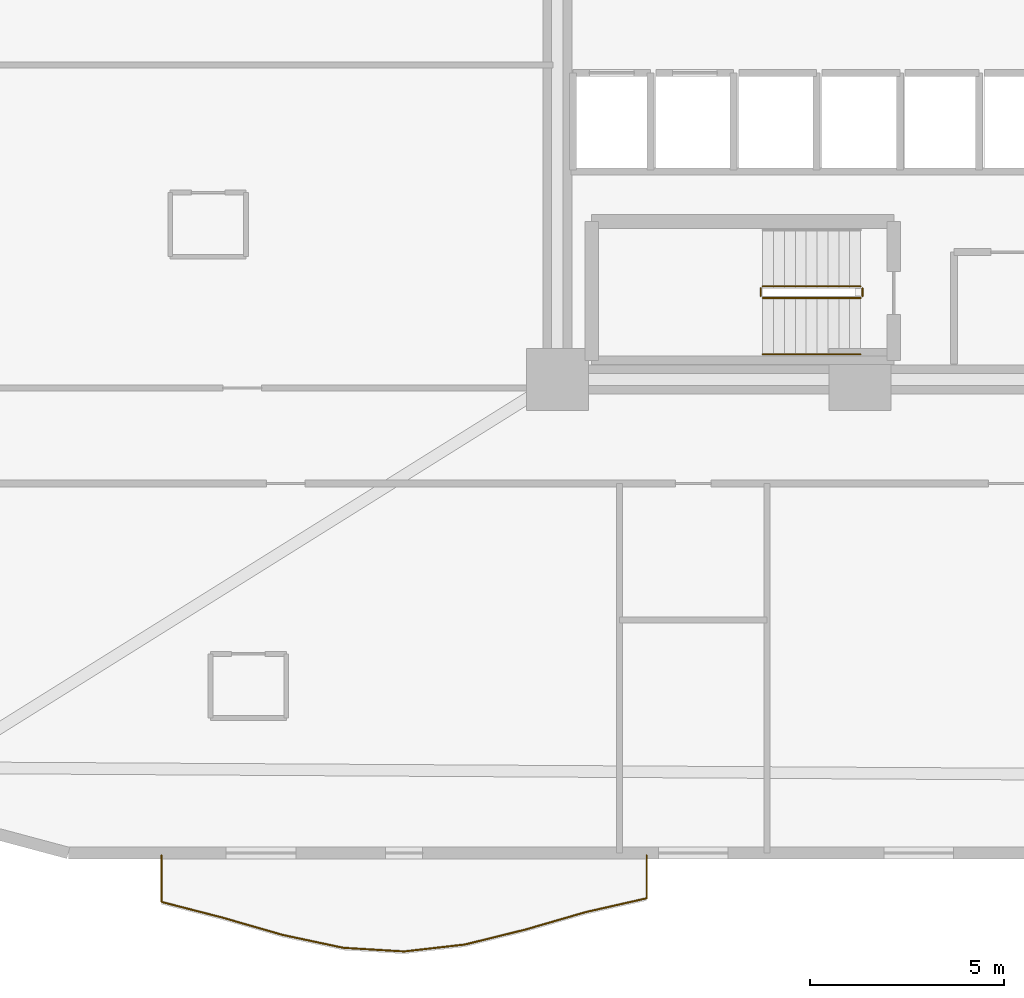
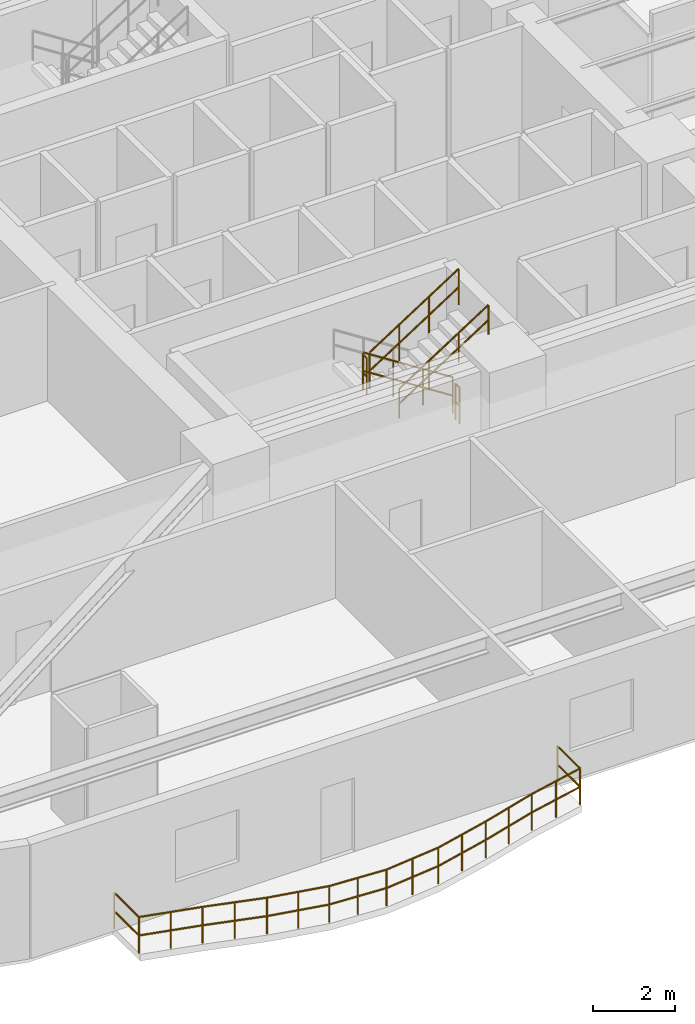
# One storey, part 14 of 16: 6 railings.
"""IFC4 building model written with IfcOpenShell, lengths in metres."""

from ifc_helpers import new_model, si_unit, direction, frame, origin, origin_2d, place, context, subcontext, project, spatial, circle, extrude, material, type_object, element, save


model = new_model("IFC4")

# Units and contexts
model_context = context("Model", 3, precision=1e-05, world=origin(), true_north=direction((0.0, 1.0)))
body_context = subcontext(model_context, "Body", "Model", "MODEL_VIEW")
ifc_project = project(units=[si_unit("LENGTHUNIT", "METRE"), si_unit("AREAUNIT", "SQUARE_METRE"), si_unit("VOLUMEUNIT", "CUBIC_METRE"), si_unit("PLANEANGLEUNIT", "RADIAN"), si_unit("MASSUNIT", "GRAM", prefix="KILO")], contexts=[model_context])

# Site, building, storey
site_placement = place(None, origin())
site = spatial("IfcSite", under=ifc_project, at=site_placement, CompositionType="ELEMENT")
building_placement = place(site_placement, origin())
building = spatial("IfcBuilding", under=site, at=building_placement, Name="An Khanh Terracotta Commons", CompositionType="ELEMENT")
storey_placement = place(building_placement, frame((0.0, 0.0, 57.60009765625)))
storey = spatial("IfcBuildingStorey", under=building, at=storey_placement, Name="L15", CompositionType="ELEMENT", Elevation=57.60009765625)

# Railings
ifc_material_1 = material(Name="Brushed Stainless Steel 316", Category="steel")
railing_type_1 = type_object("IfcRailingType", Name="RAIL-BALUSTRADE-1100", PredefinedType="BALUSTRADE", material=ifc_material_1)
railing_1_placement = place(storey_placement, frame((11.39990234375, 2.139892578125, 0.0)))
element("IfcRailing", 1, at=railing_1_placement, inside=storey, type_object=railing_type_1, Name="L15 S Wave Balcony Guard Balustrade", PredefinedType="BALUSTRADE", context=body_context, shape_type="SweptSolid", body=[
    extrude(circle(Radius=0.02392578125, at=origin_2d()), frame((0.0, 0.0, 1.076171875), z_axis=(0.0, -1.0, 0.0), x_axis=(1.0, 0.0, 0.0)), (0.0, 0.0, 1.0), 1.199951171875),
    extrude(circle(Radius=0.02392578125, at=origin_2d()), frame((0.0, 0.0, 0.52587890625), z_axis=(0.0, -1.0, 0.0), x_axis=(1.0, 0.0, 0.0)), (0.0, 0.0, 1.0), 1.199951171875),
    extrude(circle(Radius=0.02392578125, at=origin_2d()), frame((0.0, -1.199951171875, 1.076171875), z_axis=(0.968501272203, -0.249008605756, 0.0), x_axis=(0.249008605756, 0.968501272203, 0.0)), (0.0, 0.0, 1.0), 1.61376953125),
    extrude(circle(Radius=0.02392578125, at=origin_2d()), frame((0.0, -1.199951171875, 0.52587890625), z_axis=(0.968501272203, -0.249008605756, 0.0), x_axis=(0.249008605756, 0.968501272203, 0.0)), (0.0, 0.0, 1.0), 1.61376953125),
    extrude(circle(Radius=0.02392578125, at=origin_2d()), frame((1.56298828125, -1.601806640625, 1.076171875), z_axis=(0.961086255424, -0.27624845635, 0.0), x_axis=(0.27624845635, 0.961086255424, 0.0)), (0.0, 0.0, 1.0), 1.625244140625),
    extrude(circle(Radius=0.02392578125, at=origin_2d()), frame((1.56298828125, -1.601806640625, 0.52587890625), z_axis=(0.961086255424, -0.27624845635, 0.0), x_axis=(0.27624845635, 0.961086255424, 0.0)), (0.0, 0.0, 1.0), 1.625244140625),
    extrude(circle(Radius=0.02392578125, at=origin_2d()), frame((3.125, -2.05078125, 1.076171875), z_axis=(0.978145638239, -0.207920923414, 0.0), x_axis=(0.207920923414, 0.978145638239, 0.0)), (0.0, 0.0, 1.0), 1.596923828125),
    extrude(circle(Radius=0.02392578125, at=origin_2d()), frame((3.125, -2.05078125, 0.52587890625), z_axis=(0.978145638239, -0.207920923414, 0.0), x_axis=(0.207920923414, 0.978145638239, 0.0)), (0.0, 0.0, 1.0), 1.596923828125),
    extrude(circle(Radius=0.02392578125, at=origin_2d()), frame((4.68701171875, -2.3828125, 1.076171875), z_axis=(0.99823381228, -0.059407541781, 0.0), x_axis=(0.059407541781, 0.99823381228, 0.0)), (0.0, 0.0, 1.0), 1.565673828125),
    extrude(circle(Radius=0.02392578125, at=origin_2d()), frame((4.68701171875, -2.3828125, 0.52587890625), z_axis=(0.99823381228, -0.059407541781, 0.0), x_axis=(0.059407541781, 0.99823381228, 0.0)), (0.0, 0.0, 1.0), 1.565673828125),
    extrude(circle(Radius=0.02392578125, at=origin_2d()), frame((6.25, -2.475830078125, 1.076171875), z_axis=(0.993571157369, 0.113209342564, 0.0), x_axis=(-0.113209342564, 0.993571157369, 0.0)), (0.0, 0.0, 1.0), 1.572021484375),
    extrude(circle(Radius=0.02392578125, at=origin_2d()), frame((6.25, -2.475830078125, 0.52587890625), z_axis=(0.993571157369, 0.113209342564, 0.0), x_axis=(-0.113209342564, 0.993571157369, 0.0)), (0.0, 0.0, 1.0), 1.572021484375),
    extrude(circle(Radius=0.02392578125, at=origin_2d()), frame((7.81201171875, -2.2978515625, 1.076171875), z_axis=(0.9708342931, 0.239751486628, 0.0), x_axis=(-0.239751486628, 0.9708342931, 0.0)), (0.0, 0.0, 1.0), 1.60986328125),
    extrude(circle(Radius=0.02392578125, at=origin_2d()), frame((7.81201171875, -2.2978515625, 0.52587890625), z_axis=(0.9708342931, 0.239751486628, 0.0), x_axis=(-0.239751486628, 0.9708342931, 0.0)), (0.0, 0.0, 1.0), 1.60986328125),
    extrude(circle(Radius=0.02392578125, at=origin_2d()), frame((9.375, -1.911865234375, 1.076171875), z_axis=(0.960606465703, 0.27791224883, 0.0), x_axis=(-0.27791224883, 0.960606465703, 0.0)), (0.0, 0.0, 1.0), 1.6259765625),
    extrude(circle(Radius=0.02392578125, at=origin_2d()), frame((9.375, -1.911865234375, 0.52587890625), z_axis=(0.960606465703, 0.27791224883, 0.0), x_axis=(-0.27791224883, 0.960606465703, 0.0)), (0.0, 0.0, 1.0), 1.6259765625),
    extrude(circle(Radius=0.02392578125, at=origin_2d()), frame((10.93701171875, -1.4599609375, 1.076171875), z_axis=(0.975297200587, 0.220896741776, 0.0), x_axis=(-0.220896741776, 0.975297200587, 0.0)), (0.0, 0.0, 1.0), 1.6025390625),
    extrude(circle(Radius=0.02392578125, at=origin_2d()), frame((10.93701171875, -1.4599609375, 0.52587890625), z_axis=(0.975297200587, 0.220896741776, 0.0), x_axis=(-0.220896741776, 0.975297200587, 0.0)), (0.0, 0.0, 1.0), 1.6025390625),
    extrude(circle(Radius=0.02392578125, at=origin_2d()), frame((12.5, -1.10595703125, 1.076171875), z_axis=(0.0, 1.0, 0.0), x_axis=(-1.0, 0.0, 0.0)), (0.0, 0.0, 1.0), 1.10595703125),
    extrude(circle(Radius=0.02392578125, at=origin_2d()), frame((12.5, -1.10595703125, 0.52587890625), z_axis=(0.0, 1.0, 0.0), x_axis=(-1.0, 0.0, 0.0)), (0.0, 0.0, 1.0), 1.10595703125),
    extrude(circle(Radius=0.02099609375, at=origin_2d()), origin(), (0.0, 0.0, 1.0), 1.052001953125),
    extrude(circle(Radius=0.02099609375, at=origin_2d()), frame((0.0, -1.199951171875, 0.0)), (0.0, 0.0, 1.0), 1.052001953125),
    extrude(circle(Radius=0.02099609375, at=origin_2d()), frame((0.781494140625, -1.40087890625, 0.0)), (0.0, 0.0, 1.0), 1.052001953125),
    extrude(circle(Radius=0.02099609375, at=origin_2d()), frame((1.56298828125, -1.601806640625, 0.0)), (0.0, 0.0, 1.0), 1.052001953125),
    extrude(circle(Radius=0.02099609375, at=origin_2d()), frame((2.343994140625, -1.826171875, 0.0)), (0.0, 0.0, 1.0), 1.052001953125),
    extrude(circle(Radius=0.02099609375, at=origin_2d()), frame((3.125, -2.05078125, 0.0)), (0.0, 0.0, 1.0), 1.052001953125),
    extrude(circle(Radius=0.02099609375, at=origin_2d()), frame((3.906005859375, -2.216796875, 0.0)), (0.0, 0.0, 1.0), 1.052001953125),
    extrude(circle(Radius=0.02099609375, at=origin_2d()), frame((4.68701171875, -2.3828125, 0.0)), (0.0, 0.0, 1.0), 1.052001953125),
    extrude(circle(Radius=0.02099609375, at=origin_2d()), frame((5.468505859375, -2.42919921875, 0.0)), (0.0, 0.0, 1.0), 1.052001953125),
    extrude(circle(Radius=0.02099609375, at=origin_2d()), frame((6.25, -2.475830078125, 0.0)), (0.0, 0.0, 1.0), 1.052001953125),
    extrude(circle(Radius=0.02099609375, at=origin_2d()), frame((7.031005859375, -2.38671875, 0.0)), (0.0, 0.0, 1.0), 1.052001953125),
    extrude(circle(Radius=0.02099609375, at=origin_2d()), frame((7.81201171875, -2.2978515625, 0.0)), (0.0, 0.0, 1.0), 1.052001953125),
    extrude(circle(Radius=0.02099609375, at=origin_2d()), frame((8.593505859375, -2.10498046875, 0.0)), (0.0, 0.0, 1.0), 1.052001953125),
    extrude(circle(Radius=0.02099609375, at=origin_2d()), frame((9.375, -1.911865234375, 0.0)), (0.0, 0.0, 1.0), 1.052001953125),
    extrude(circle(Radius=0.02099609375, at=origin_2d()), frame((10.156005859375, -1.68603515625, 0.0)), (0.0, 0.0, 1.0), 1.052001953125),
    extrude(circle(Radius=0.02099609375, at=origin_2d()), frame((10.93701171875, -1.4599609375, 0.0)), (0.0, 0.0, 1.0), 1.052001953125),
    extrude(circle(Radius=0.02099609375, at=origin_2d()), frame((11.718505859375, -1.282958984375, 0.0)), (0.0, 0.0, 1.0), 1.052001953125),
    extrude(circle(Radius=0.02099609375, at=origin_2d()), frame((12.5, -1.10595703125, 0.0)), (0.0, 0.0, 1.0), 1.052001953125),
    extrude(circle(Radius=0.02099609375, at=origin_2d()), frame((12.5, 0.0, 0.0)), (0.0, 0.0, 1.0), 1.052001953125),
])
railing_type_2 = type_object("IfcRailingType", Name="RAIL-HANDRAIL-900", PredefinedType="HANDRAIL", material=ifc_material_1)
railing_2_placement = place(storey_placement, frame((26.889892578125, 15.050048828125, 1.97998046875)))
element("IfcRailing", 2, at=railing_2_placement, inside=storey, type_object=railing_type_2, Name="L15 ST-02 stair handrail 2", PredefinedType="HANDRAIL", context=body_context, shape_type="SweptSolid", body=[
    extrude(circle(Radius=0.02392578125, at=origin_2d()), frame((0.0, 0.0, 0.8759765625), z_axis=(0.841199657755, 0.0, 0.540724639528), x_axis=(0.0, 1.0, 0.0)), (0.0, 0.0, 1.0), 2.995849609375),
    extrude(circle(Radius=0.02392578125, at=origin_2d()), frame((0.0, 0.0, 0.42578125), z_axis=(0.841199657755, 0.0, 0.540724639528), x_axis=(0.0, 1.0, 0.0)), (0.0, 0.0, 1.0), 2.995849609375),
    extrude(circle(Radius=0.02099609375, at=origin_2d()), origin(), (0.0, 0.0, 1.0), 0.851806640625),
    extrude(circle(Radius=0.02099609375, at=origin_2d()), frame((0.840087890625, 0.0, 0.5400390625)), (0.0, 0.0, 1.0), 0.851806640625),
    extrude(circle(Radius=0.02099609375, at=origin_2d()), frame((1.679931640625, 0.0, 1.079833984375)), (0.0, 0.0, 1.0), 0.851806640625),
    extrude(circle(Radius=0.02099609375, at=origin_2d()), frame((2.52001953125, 0.0, 1.619873046875)), (0.0, 0.0, 1.0), 0.851806640625),
])
ifc_material_2 = material(Name="Powder-Coated Steel S355J2", Category="steel")
railing_type_3 = type_object("IfcRailingType", Name="RAIL-STAIR-GUARD-1100", PredefinedType="BALUSTRADE", material=ifc_material_2)
railing_3_placement = place(storey_placement, frame((29.409912109375, 16.800048828125, 0.179931640625)))
element("IfcRailing", 3, at=railing_3_placement, inside=storey, type_object=railing_type_3, Name="L15 ST-02 stair guard 1", PredefinedType="BALUSTRADE", context=body_context, shape_type="SweptSolid", body=[
    extrude(circle(Radius=0.02392578125, at=origin_2d()), frame((0.0, 0.0, 1.076171875), z_axis=(-0.841199657755, 0.0, 0.540724639528), x_axis=(0.0, -1.0, 0.0)), (0.0, 0.0, 1.0), 2.995849609375),
    extrude(circle(Radius=0.02392578125, at=origin_2d()), frame((0.0, 0.0, 0.52587890625), z_axis=(-0.841199657755, 0.0, 0.540724639528), x_axis=(0.0, -1.0, 0.0)), (0.0, 0.0, 1.0), 2.995849609375),
    extrude(circle(Radius=0.02099609375, at=origin_2d()), origin(), (0.0, 0.0, 1.0), 1.052001953125),
    extrude(circle(Radius=0.02099609375, at=origin_2d()), frame((-0.840087890625, 0.0, 0.5400390625)), (0.0, 0.0, 1.0), 1.052001953125),
    extrude(circle(Radius=0.02099609375, at=origin_2d()), frame((-1.679931640625, 0.0, 1.079833984375)), (0.0, 0.0, 1.0), 1.052001953125),
    extrude(circle(Radius=0.02099609375, at=origin_2d()), frame((-2.52001953125, 0.0, 1.619873046875)), (0.0, 0.0, 1.0), 1.052001953125),
])
railing_4_placement = place(storey_placement, frame((26.840087890625, 16.75, 1.7998046875)))
element("IfcRailing", 4, at=railing_4_placement, inside=storey, type_object=railing_type_3, Name="L15 ST-02 stair guard 2", PredefinedType="BALUSTRADE", context=body_context, shape_type="SweptSolid", body=[
    extrude(circle(Radius=0.02392578125, at=origin_2d()), frame((0.0, 0.0, 1.076171875), z_axis=(0.0, -1.0, 0.0), x_axis=(1.0, 0.0, 0.0)), (0.0, 0.0, 1.0), 0.199951171875),
    extrude(circle(Radius=0.02392578125, at=origin_2d()), frame((0.0, 0.0, 0.52587890625), z_axis=(0.0, -1.0, 0.0), x_axis=(1.0, 0.0, 0.0)), (0.0, 0.0, 1.0), 0.199951171875),
    extrude(circle(Radius=0.02099609375, at=origin_2d()), origin(), (0.0, 0.0, 1.0), 1.052001953125),
    extrude(circle(Radius=0.02099609375, at=origin_2d()), frame((0.0, -0.199951171875, 0.0)), (0.0, 0.0, 1.0), 1.052001953125),
])
railing_5_placement = place(storey_placement, frame((26.889892578125, 16.5, 1.97998046875)))
element("IfcRailing", 5, at=railing_5_placement, inside=storey, type_object=railing_type_3, Name="L15 ST-02 stair guard 3", PredefinedType="BALUSTRADE", context=body_context, shape_type="SweptSolid", body=[
    extrude(circle(Radius=0.02392578125, at=origin_2d()), frame((0.0, 0.0, 1.076171875), z_axis=(0.841199657755, 0.0, 0.540724639528), x_axis=(0.0, 1.0, 0.0)), (0.0, 0.0, 1.0), 2.995849609375),
    extrude(circle(Radius=0.02392578125, at=origin_2d()), frame((0.0, 0.0, 0.52587890625), z_axis=(0.841199657755, 0.0, 0.540724639528), x_axis=(0.0, 1.0, 0.0)), (0.0, 0.0, 1.0), 2.995849609375),
    extrude(circle(Radius=0.02099609375, at=origin_2d()), origin(), (0.0, 0.0, 1.0), 1.052001953125),
    extrude(circle(Radius=0.02099609375, at=origin_2d()), frame((0.840087890625, 0.0, 0.5400390625)), (0.0, 0.0, 1.0), 1.052001953125),
    extrude(circle(Radius=0.02099609375, at=origin_2d()), frame((1.679931640625, 0.0, 1.079833984375)), (0.0, 0.0, 1.0), 1.052001953125),
    extrude(circle(Radius=0.02099609375, at=origin_2d()), frame((2.52001953125, 0.0, 1.619873046875)), (0.0, 0.0, 1.0), 1.052001953125),
])
railing_6_placement = place(storey_placement, frame((29.4599609375, 16.75, 0.0)))
element("IfcRailing", 6, at=railing_6_placement, inside=storey, type_object=railing_type_3, Name="L15 ST-02 stair guard 4", PredefinedType="BALUSTRADE", context=body_context, shape_type="SweptSolid", body=[
    extrude(circle(Radius=0.02392578125, at=origin_2d()), frame((0.0, 0.0, 1.076171875), z_axis=(0.0, -1.0, 0.0), x_axis=(1.0, 0.0, 0.0)), (0.0, 0.0, 1.0), 0.199951171875),
    extrude(circle(Radius=0.02392578125, at=origin_2d()), frame((0.0, 0.0, 0.52587890625), z_axis=(0.0, -1.0, 0.0), x_axis=(1.0, 0.0, 0.0)), (0.0, 0.0, 1.0), 0.199951171875),
    extrude(circle(Radius=0.02099609375, at=origin_2d()), origin(), (0.0, 0.0, 1.0), 1.052001953125),
    extrude(circle(Radius=0.02099609375, at=origin_2d()), frame((0.0, -0.199951171875, 0.0)), (0.0, 0.0, 1.0), 1.052001953125),
])

save(model, "model.ifc")
